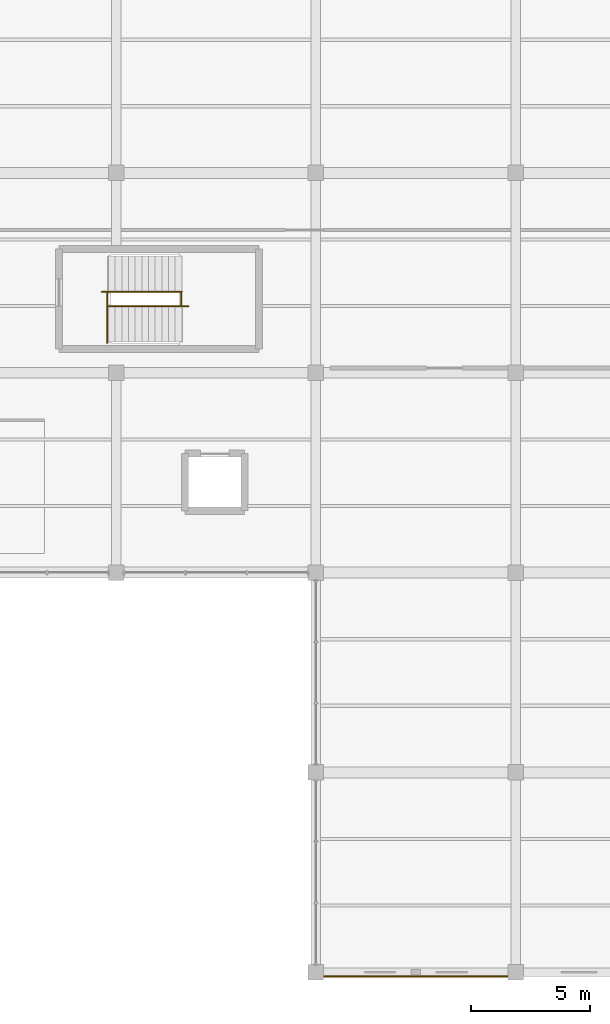
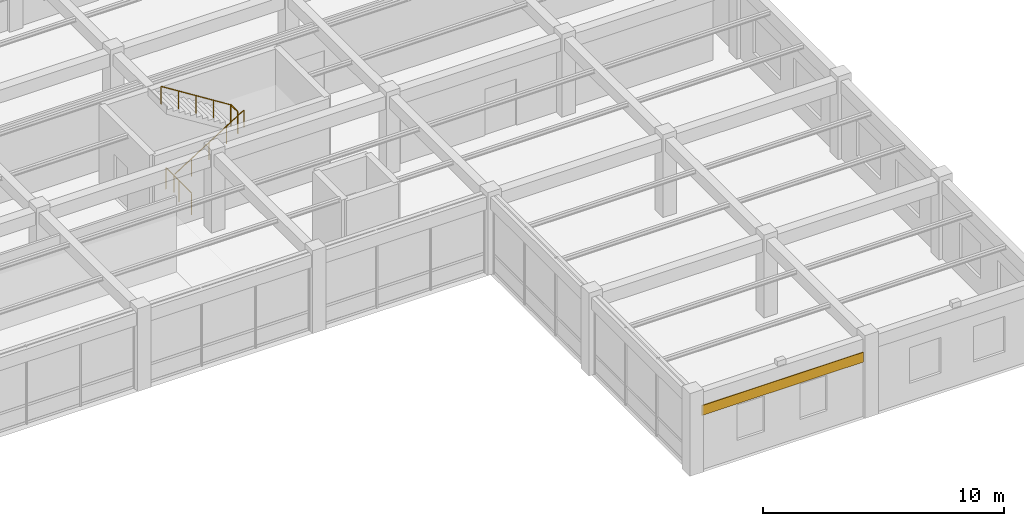
# One storey, part 128 of 138: 4 railings, 1 covering.
"""IFC4 building model written with IfcOpenShell, lengths in metres."""

from ifc_helpers import new_model, si_unit, direction, frame, origin, origin_2d, place, context, subcontext, project, spatial, polyline, circle, outline, extrude, material, layer, layer_set, type_object, element, save


model = new_model("IFC4")

# Units and contexts
model_context = context("Model", 3, precision=1e-05, world=origin(), true_north=direction((0.0, 1.0)))
body_context = subcontext(model_context, "Body", "Model", "MODEL_VIEW")
ifc_project = project(units=[si_unit("LENGTHUNIT", "METRE"), si_unit("AREAUNIT", "SQUARE_METRE"), si_unit("VOLUMEUNIT", "CUBIC_METRE"), si_unit("PLANEANGLEUNIT", "RADIAN"), si_unit("MASSUNIT", "GRAM", prefix="KILO"), si_unit("THERMODYNAMICTEMPERATUREUNIT", "KELVIN"), si_unit("POWERUNIT", "WATT")], contexts=[model_context])

# Site, building, storey
site_placement = place(None, origin())
site = spatial("IfcSite", under=ifc_project, at=site_placement, CompositionType="ELEMENT")
building_placement = place(site_placement, origin())
building = spatial("IfcBuilding", under=site, at=building_placement, Name="Darbajah Civic Hall", CompositionType="ELEMENT")
storey_placement = place(building_placement, frame((0.0, 0.0, 9.60009765625)))
storey = spatial("IfcBuildingStorey", under=building, at=storey_placement, Name="L02", CompositionType="ELEMENT", Elevation=9.60009765625)

# Railings
ifc_material_1 = material(Name="Brushed Bronze Stainless Steel", Category="steel")
railing_type_1 = type_object("IfcRailingType", Name="Brushed Bronze Handrail", PredefinedType="HANDRAIL", material=ifc_material_1)
railing_1_placement = place(storey_placement, frame((41.679931640625, 28.0, 0.1748046875)))
element("IfcRailing", 1, at=railing_1_placement, inside=storey, type_object=railing_type_1, Name="ST11 L02 lower flight handrail", PredefinedType="HANDRAIL", context=body_context, shape_type="SweptSolid", body=[
    extrude(circle(Radius=0.02392578125, at=origin_2d()), frame((0.023193359375, 0.0, 0.910400390625), z_axis=(0.845944288966, 0.0, 0.533271281775), x_axis=(0.0, 1.0, 0.0)), (0.0, 0.0, 1.0), 3.91748046875),
    extrude(circle(Radius=0.02099609375, at=origin_2d()), origin(), (0.0, 0.0, 1.0), 0.867919921875),
    extrude(circle(Radius=0.02099609375, at=origin_2d()), frame((0.840087890625, 0.0, 0.529541015625)), (0.0, 0.0, 1.0), 0.867919921875),
    extrude(circle(Radius=0.02099609375, at=origin_2d()), frame((1.68017578125, 0.0, 1.05908203125)), (0.0, 0.0, 1.0), 0.867919921875),
    extrude(circle(Radius=0.02099609375, at=origin_2d()), frame((2.52001953125, 0.0, 1.588623046875)), (0.0, 0.0, 1.0), 0.867919921875),
    extrude(circle(Radius=0.02099609375, at=origin_2d()), frame((3.360107421875, 0.0, 2.1181640625)), (0.0, 0.0, 1.0), 0.867919921875),
])
railing_2_placement = place(storey_placement, frame((44.760009765625, 28.60009765625, 2.27490234375)))
element("IfcRailing", 2, at=railing_2_placement, inside=storey, type_object=railing_type_1, Name="ST11 L02 upper flight handrail", PredefinedType="HANDRAIL", context=body_context, shape_type="SweptSolid", body=[
    extrude(circle(Radius=0.02392578125, at=origin_2d()), frame((-0.023193359375, 0.0, 0.910400390625), z_axis=(-0.845944288966, 0.0, 0.533271281775), x_axis=(0.0, -1.0, 0.0)), (0.0, 0.0, 1.0), 3.91748046875),
    extrude(circle(Radius=0.02099609375, at=origin_2d()), origin(), (0.0, 0.0, 1.0), 0.867919921875),
    extrude(circle(Radius=0.02099609375, at=origin_2d()), frame((-0.840087890625, 0.0, 0.529541015625)), (0.0, 0.0, 1.0), 0.867919921875),
    extrude(circle(Radius=0.02099609375, at=origin_2d()), frame((-1.68017578125, 0.0, 1.05908203125)), (0.0, 0.0, 1.0), 0.867919921875),
    extrude(circle(Radius=0.02099609375, at=origin_2d()), frame((-2.52001953125, 0.0, 1.588623046875)), (0.0, 0.0, 1.0), 0.867919921875),
    extrude(circle(Radius=0.02099609375, at=origin_2d()), frame((-3.360107421875, 0.0, 2.1181640625)), (0.0, 0.0, 1.0), 0.867919921875),
])
ifc_material_2 = material(Name="Brushed Bronze and Laminated Safety Glass", Category="glass")
railing_type_2 = type_object("IfcRailingType", Name="Interior Guard Balustrade", PredefinedType="BALUSTRADE", material=ifc_material_2)
railing_3_placement = place(storey_placement, frame((41.6298828125, 26.449951171875, 0.0)))
element("IfcRailing", 3, at=railing_3_placement, inside=storey, type_object=railing_type_2, Name="ST11 L02 stair-well edge guard", PredefinedType="BALUSTRADE", context=body_context, shape_type="SweptSolid", body=[
    extrude(circle(Radius=0.02392578125, at=origin_2d()), frame((0.0, 0.02734375, 1.09619140625), z_axis=(0.0, 1.0, 0.0), x_axis=(-1.0, 0.0, 0.0)), (0.0, 0.0, 1.0), 2.095458984375),
    extrude(circle(Radius=0.02099609375, at=origin_2d()), origin(), (0.0, 0.0, 1.0), 1.068115234375),
    extrude(circle(Radius=0.02099609375, at=origin_2d()), frame((0.0, 1.0751953125, 0.0)), (0.0, 0.0, 1.0), 1.068115234375),
    extrude(circle(Radius=0.02099609375, at=origin_2d()), frame((0.0, 2.150146484375, 0.0)), (0.0, 0.0, 1.0), 1.068115234375),
])
railing_4_placement = place(storey_placement, frame((44.739990234375, 28.0, 2.099853515625)))
element("IfcRailing", 4, at=railing_4_placement, inside=storey, type_object=railing_type_2, Name="ST11 L02 landing well guard", PredefinedType="BALUSTRADE", context=body_context, shape_type="SweptSolid", body=[
    extrude(circle(Radius=0.02392578125, at=origin_2d()), frame((0.0, 0.02734375, 1.09619140625), z_axis=(0.0, 1.0, 0.0), x_axis=(-1.0, 0.0, 0.0)), (0.0, 0.0, 1.0), 0.54541015625),
    extrude(circle(Radius=0.02099609375, at=origin_2d()), origin(), (0.0, 0.0, 1.0), 1.068115234375),
    extrude(circle(Radius=0.02099609375, at=origin_2d()), frame((0.0, 0.60009765625, 0.0)), (0.0, 0.0, 1.0), 1.068115234375),
])

# Covering
ifc_material_3 = material(Name="Qatari Desert Limestone Ashlar", Category="masonry")
ifc_layer = layer(ifc_material_3, 0.044921875, Name="Qatari Desert Limestone Ashlar")
ifc_layer_set = layer_set([ifc_layer], Name="Qatari Desert Limestone Ashlar")
covering_type = type_object("IfcCoveringType", Name="Limestone Facade Cladding", PredefinedType="CLADDING", material=ifc_layer_set)
covering_placement = place(storey_placement, frame((0.0, 0.0, 2.789794921875)))
element("IfcCovering", 5, at=covering_placement, inside=storey, type_object=covering_type, Name="L02 stone frieze cladding EW-V5-L02-S4-B0", PredefinedType="CLADDING", context=body_context, shape_type="SweptSolid", body=[
    extrude(outline(polyline([(50.72705078125, -0.155029296875), (58.472900390625, -0.155029296875), (58.472900390625, -0.199951171875), (50.72705078125, -0.199951171875), (50.72705078125, -0.155029296875)])), origin(), (0.0, 0.0, 1.0), 0.5),
])

save(model, "model.ifc")
